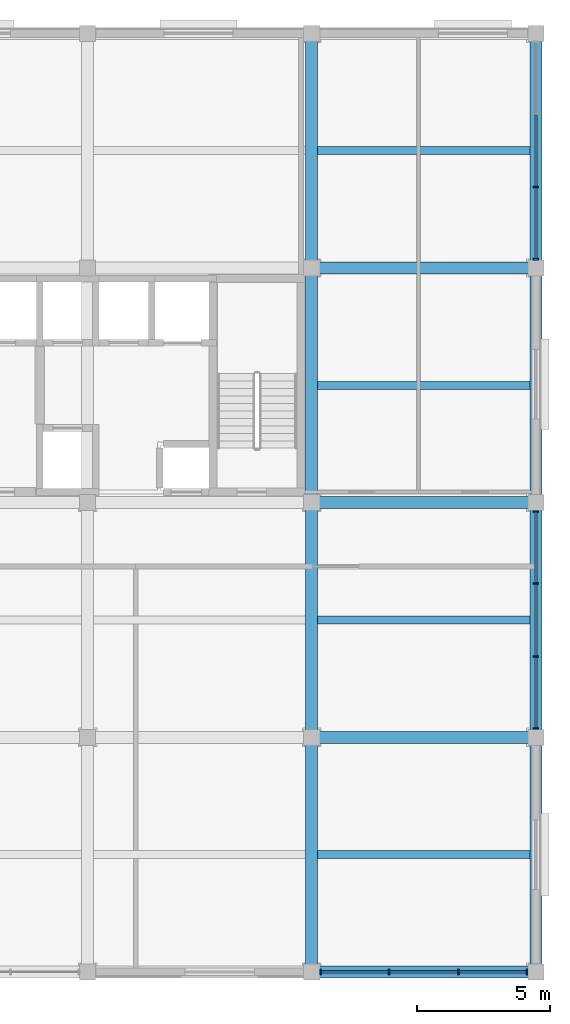
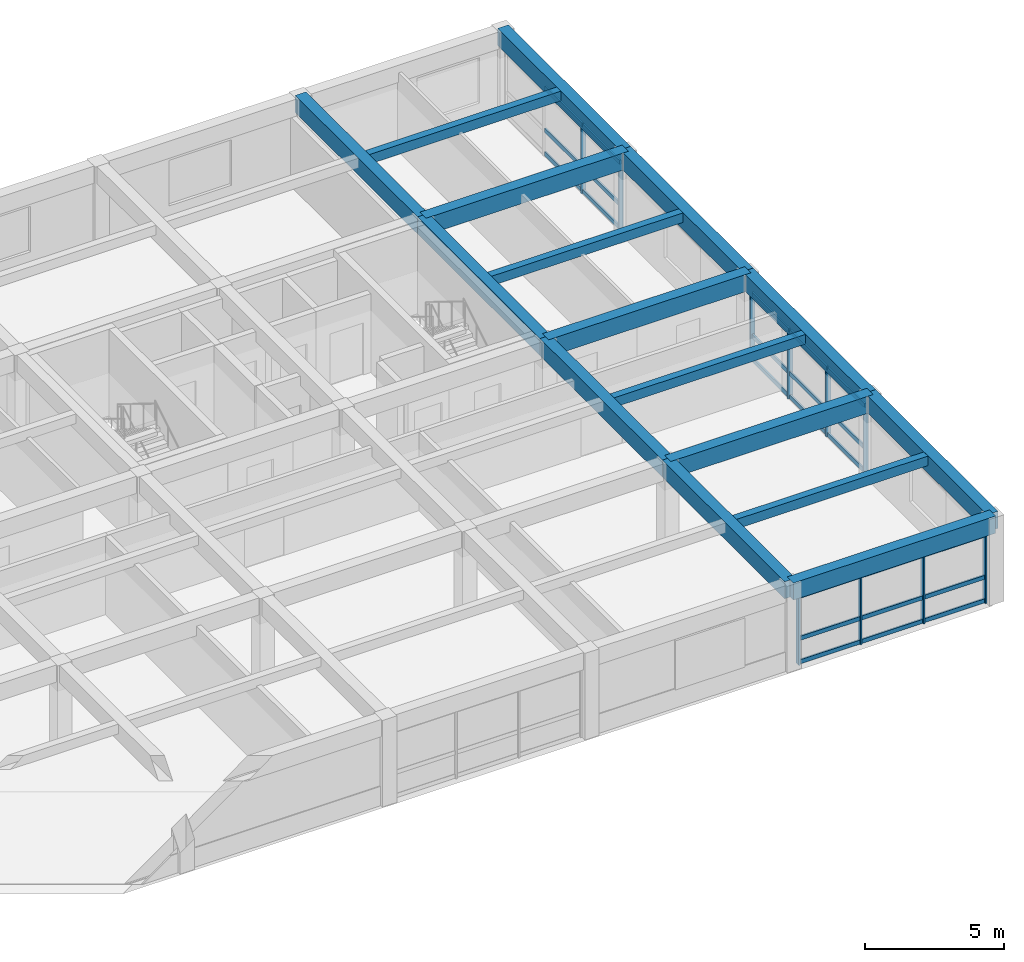
# One storey, part 4 of 14: 34 members, 16 beams, 3 elements without a shape of their own.
"""IFC4 building model written with IfcOpenShell, lengths in metres."""

import ifcopenshell
import ifcopenshell.guid

model = None  # the IFC model being written
_history = None  # IfcOwnerHistory: only IFC2X3 demands one
_inside = {}  # id of a spatial element -> (the spatial element, [elements in it])
_under = {}  # id of a project, library or spatial element -> (it, [spatial elements below it])
_declared = {}  # id of a project -> (the project, [libraries it declares])
_typed = {}  # id of a type object -> (the type object, [elements of that type])
_made_of = {}  # id of a material, layer set ... -> (it, [elements and type objects made of it])


def new_model(schema):
    """Start an empty IFC model of exactly this schema.

    Asked for "IFC4X3", IfcOpenShell would pick the latest addendum, in which some entities
    have other attributes; the version numbers below select the first issue.
    IFC2X3 requires an IfcOwnerHistory on every rooted entity: one is made here for all.
    """
    global model, _history
    if schema == "IFC4X3":
        model = ifcopenshell.file(schema_version=(4, 3, 0, 0))
    else:
        model = ifcopenshell.file(schema=schema)
    _inside.clear()
    _under.clear()
    _declared.clear()
    _typed.clear()
    _made_of.clear()
    _history = None
    if model.schema == "IFC2X3":
        org = make("IfcOrganization", Name="unknown")
        user = make(
            "IfcPersonAndOrganization",
            ThePerson=make("IfcPerson", FamilyName="unknown"),
            TheOrganization=org,
        )
        app = make(
            "IfcApplication",
            ApplicationDeveloper=org,
            Version="unknown",
            ApplicationFullName="unknown",
            ApplicationIdentifier="unknown",
        )
        _history = make(
            "IfcOwnerHistory",
            OwningUser=user,
            OwningApplication=app,
            ChangeAction="ADDED",
            CreationDate=0,
        )
    return model


def make(cls, **values):
    """One entity of the class cls with the attributes given. An attribute that is None is left unset."""
    return model.create_entity(
        cls, **{name: value for name, value in values.items() if value is not None}
    )


def rooted(cls, **values):
    """An entity with a GlobalId (a new one), such as an element, a storey or a relation."""
    return make(cls, GlobalId=ifcopenshell.guid.new(), OwnerHistory=_history, **values)


def si_unit(unit_type, name, prefix=None):
    """IfcSIUnit, for example si_unit("LENGTHUNIT", "METRE", prefix="MILLI")."""
    return make("IfcSIUnit", UnitType=unit_type, Prefix=prefix, Name=name)


def assignment(units):
    """IfcUnitAssignment: the units of a project."""
    return None if units is None else make("IfcUnitAssignment", Units=units)


def point(xyz):
    """IfcCartesianPoint."""
    return None if xyz is None else make("IfcCartesianPoint", Coordinates=xyz)


def direction(xyz):
    """IfcDirection."""
    return None if xyz is None else make("IfcDirection", DirectionRatios=xyz)


def frame(location, z_axis=None, x_axis=None):
    """IfcAxis2Placement3D, a coordinate frame: its origin and axes. An axis left out is left unset."""
    return make(
        "IfcAxis2Placement3D",
        Location=point(location),
        Axis=direction(z_axis),
        RefDirection=direction(x_axis),
    )


def frame_2d(location, x_axis=None):
    """IfcAxis2Placement2D, a coordinate frame in the plane: its origin and x axis."""
    return make(
        "IfcAxis2Placement2D", Location=point(location), RefDirection=direction(x_axis)
    )


def origin():
    """The frame at (0, 0, 0) with its axes left unset."""
    return frame((0.0, 0.0, 0.0))


def origin_2d():
    """The frame at (0, 0) in the plane with its x axis left unset."""
    return frame_2d((0.0, 0.0))


def place(relative_to, where):
    """IfcLocalPlacement: puts the frame where relative to a parent placement (None: the world)."""
    return make(
        "IfcLocalPlacement", PlacementRelTo=relative_to, RelativePlacement=where
    )


def context(
    kind, dimensions, precision=None, world=None, true_north=None, identifier=None
):
    """IfcGeometricRepresentationContext, for example the 3D "Model" context."""
    return make(
        "IfcGeometricRepresentationContext",
        ContextIdentifier=identifier,
        ContextType=kind,
        CoordinateSpaceDimension=dimensions,
        Precision=precision,
        WorldCoordinateSystem=world,
        TrueNorth=true_north,
    )


def subcontext(parent, identifier, kind, view, scale=None):
    """IfcGeometricRepresentationSubContext, for example "Body" below "Model"."""
    return make(
        "IfcGeometricRepresentationSubContext",
        ContextIdentifier=identifier,
        ContextType=kind,
        ParentContext=parent,
        TargetScale=scale,
        TargetView=view,
    )


def project(units=None, contexts=None):
    """IfcProject with its units and contexts."""
    return rooted(
        "IfcProject",
        Name="project",
        RepresentationContexts=contexts,
        UnitsInContext=assignment(units),
    )


def spatial(cls, under=None, at=None, **own):
    """A site, building, storey or space (cls), placed at a placement, below another one or the project."""
    s = rooted(cls, ObjectPlacement=at, **own)
    if under is not None:
        _under.setdefault(under.id(), (under, []))[1].append(s)
    return s


def profile(cls, at=None, kind="AREA", **sizes):
    """A parametric profile (cls). Its sizes go by their IFC names, for example OverallWidth=200.0."""
    return make(cls, ProfileType=kind, Position=at, **sizes)


def rectangle(**sizes):
    """IfcRectangleProfileDef."""
    return profile("IfcRectangleProfileDef", **sizes)


def extrude(swept, where, along, depth):
    """IfcExtrudedAreaSolid: the profile swept, set in the frame where, extruded along a direction by depth."""
    return make(
        "IfcExtrudedAreaSolid",
        SweptArea=swept,
        Position=where,
        ExtrudedDirection=direction(along),
        Depth=depth,
    )


def shape(context_of_items, identifier, shape_type, items):
    """IfcShapeRepresentation: the items that make up one representation, for example the "Body"."""
    return make(
        "IfcShapeRepresentation",
        ContextOfItems=context_of_items,
        RepresentationIdentifier=identifier,
        RepresentationType=shape_type,
        Items=items,
    )


def material(Name=None, Category=None):
    """IfcMaterial."""
    return make("IfcMaterial", Name=Name, Category=Category)


def material_profile(
    of_material, cross_section, Name=None, Category=None, Priority=None
):
    """IfcMaterialProfile: a cross section and its material."""
    return make(
        "IfcMaterialProfile",
        Name=Name,
        Material=of_material,
        Profile=cross_section,
        Priority=Priority,
        Category=Category,
    )


def profile_set(profiles, Name=None, composite=None):
    """IfcMaterialProfileSet."""
    return make(
        "IfcMaterialProfileSet",
        Name=Name,
        MaterialProfiles=profiles,
        CompositeProfile=composite,
    )


def made_of(thing, what):
    """Note that an element or type object is made of a material, layer set ...; save() writes the relation."""
    if what is not None:
        _made_of.setdefault(what.id(), (what, []))[1].append(thing)
    return thing


def type_object(cls, material=None, **own):
    """A type object (cls), such as IfcWallType, which elements share."""
    return made_of(rooted(cls, **own), material)


def element(
    cls,
    number,
    at=None,
    inside=None,
    cuts=None,
    type_object=None,
    material=None,
    context=None,
    identifier="Body",
    shape_type=None,
    held_by="IfcProductDefinitionShape",
    body=None,
    shapes=None,
    **own,
):
    """One element of the class cls, such as IfcWall. Its Tag is "e" and its number.

    at: its placement. inside: the storey or other place that contains it. cuts: it is an
    opening in that element (IfcRelVoidsElement). A single representation is given by context,
    identifier, shape_type and body (its items); several are given by shapes. held_by: the class
    of the entity that holds the representations. save() writes the other relations.
    """
    e = rooted(cls, Tag="e%d" % number, ObjectPlacement=at, **own)
    if body is not None:
        shapes = [shape(context, identifier, shape_type, body)]
    if shapes is not None:
        e.Representation = make(held_by, Representations=shapes)
    if inside is not None:
        _inside.setdefault(inside.id(), (inside, []))[1].append(e)
    if cuts is not None:
        rooted(
            "IfcRelVoidsElement", RelatingBuildingElement=cuts, RelatedOpeningElement=e
        )
    if type_object is not None:
        _typed.setdefault(type_object.id(), (type_object, []))[1].append(e)
    return made_of(e, material)


def aggregate(whole, parts):
    """IfcRelAggregates: a whole, such as a stair, and the parts it consists of."""
    return rooted("IfcRelAggregates", RelatingObject=whole, RelatedObjects=parts)


def save(model, path):
    """Write the relations noted so far, then the file.

    IfcRelAggregates (storeys below a building ...), IfcRelContainedInSpatialStructure (elements
    in a storey), IfcRelDefinesByType, IfcRelAssociatesMaterial and IfcRelDeclares: one each for
    every whole, place, type object, material and project.
    """
    for whole, parts in _under.values():
        aggregate(whole, parts)
    for where, things in _inside.values():
        rooted(
            "IfcRelContainedInSpatialStructure",
            RelatedElements=things,
            RelatingStructure=where,
        )
    for kind, things in _typed.values():
        rooted("IfcRelDefinesByType", RelatedObjects=things, RelatingType=kind)
    for what, things in _made_of.values():
        rooted("IfcRelAssociatesMaterial", RelatedObjects=things, RelatingMaterial=what)
    for by, libraries in _declared.values():
        rooted("IfcRelDeclares", RelatingContext=by, RelatedDefinitions=libraries)
    model.write(path)


model = new_model("IFC4")

# Units and contexts
model_context = context("Model", 3, precision=1e-05, world=origin(), true_north=direction((0.0, 1.0)))
body_context = subcontext(model_context, "Body", "Model", "MODEL_VIEW")
ifc_project = project(units=[si_unit("LENGTHUNIT", "METRE"), si_unit("AREAUNIT", "SQUARE_METRE"), si_unit("VOLUMEUNIT", "CUBIC_METRE"), si_unit("PLANEANGLEUNIT", "RADIAN"), si_unit("MASSUNIT", "GRAM", prefix="KILO")], contexts=[model_context])

# Site, building, storey
site_placement = place(None, origin())
site = spatial("IfcSite", under=ifc_project, at=site_placement, CompositionType="ELEMENT")
building_placement = place(site_placement, origin())
building = spatial("IfcBuilding", under=site, at=building_placement, Name="Kemercrest Conservatory and Botanical Centre", CompositionType="ELEMENT")
storey_placement = place(building_placement, frame((0.0, 0.0, 44.39990234375)))
storey = spatial("IfcBuildingStorey", under=building, at=storey_placement, Name="L11", CompositionType="ELEMENT", Elevation=44.39990234375)

# Beams
ifc_material_1 = material(Name="Concrete C40/50", Category="concrete")
ifc_material_profile_1 = material_profile(ifc_material_1, rectangle(XDim=0.449951171875, YDim=0.75, at=origin_2d()), Name="RC 450x750")
ifc_profile_set_1 = profile_set([ifc_material_profile_1], Name="Concrete C40/50")
beam_type_1 = type_object("IfcBeamType", Name="BM-RC75", PredefinedType="BEAM", material=ifc_profile_set_1)
for number, where, z_axis, x_axis, name in (
    (1, (167.60009765625, 96.0, 3.425048828125), (1.0, 0.0, 0.0), (0.0, 1.0, 0.0), "V4-L12 beam BM-RC75 L/20-21"),
    (2, (167.60009765625, 104.800048828125, 3.425048828125), (1.0, 0.0, 0.0), (0.0, 1.0, 0.0), "V4-L12 beam BM-RC75 M/20-21"),
    (3, (167.60009765625, 113.60009765625, 3.425048828125), (1.0, 0.0, 0.0), (0.0, 1.0, 0.0), "V4-L12 beam BM-RC75 N/20-21"),
):
    element("IfcBeam", number, at=place(storey_placement, frame(where, z_axis=z_axis, x_axis=x_axis)), inside=storey, type_object=beam_type_1, Name=name, PredefinedType="BEAM", context=body_context, shape_type="SweptSolid", body=[
        extrude(rectangle(XDim=0.449951171875, YDim=0.75, at=origin_2d()), origin(), (0.0, 0.0, 1.0), 8.39990234375),
    ])
for number, where, z_axis, x_axis, name in (
    (4, (167.60009765625, 87.199951171875, 3.425048828125), (0.0, 1.0, 0.0), (-1.0, 0.0, 0.0), "V4-L12 beam BM-RC75 20/K-L"),
    (5, (167.60009765625, 96.0, 3.425048828125), (0.0, 1.0, 0.0), (-1.0, 0.0, 0.0), "V4-L12 beam BM-RC75 20/L-M"),
    (6, (167.60009765625, 104.800048828125, 3.425048828125), (0.0, 1.0, 0.0), (-1.0, 0.0, 0.0), "V4-L12 beam BM-RC75 20/M-N"),
):
    element("IfcBeam", number, at=place(storey_placement, frame(where, z_axis=z_axis, x_axis=x_axis)), inside=storey, type_object=beam_type_1, Name=name, PredefinedType="BEAM", context=body_context, shape_type="SweptSolid", body=[
        extrude(rectangle(XDim=0.449951171875, YDim=0.75, at=origin_2d()), origin(), (0.0, 0.0, 1.0), 8.800048828125),
    ])
beam_1_placement = place(storey_placement, frame((167.60009765625, 113.60009765625, 3.425048828125), z_axis=(0.0, 1.0, 0.0), x_axis=(-1.0, 0.0, 0.0)))
element("IfcBeam", 7, at=beam_1_placement, inside=storey, type_object=beam_type_1, Name="V4-L12 beam BM-RC75 20/N-P", PredefinedType="BEAM", context=body_context, shape_type="SweptSolid", body=[
    extrude(rectangle(XDim=0.449951171875, YDim=0.75, at=origin_2d()), origin(), (0.0, 0.0, 1.0), 8.7998046875),
])

# Curtain wall, members
ifc_material_2 = material(Name="Thermally broken aluminium and triple low-e glazing", Category="aluminium")
curtain_wall_type_1 = type_object("IfcCurtainWallType", Name="CW-04", PredefinedType="USERDEFINED", material=ifc_material_2)
curtain_wall_1_placement = place(storey_placement, origin())
curtain_wall_1 = element("IfcCurtainWall", 8, at=curtain_wall_1_placement, inside=storey, type_object=curtain_wall_type_1, Name="Unitised curtain wall CW-04 (CW:L11:V4-123)", ObjectType="UNITISED CURTAIN WALL", PredefinedType="USERDEFINED")
ifc_material_3 = material(Name="Thermally broken anodized aluminium 6063-T6", Category="aluminium")
ifc_material_profile_2 = material_profile(ifc_material_3, rectangle(XDim=0.199951171875, YDim=0.06494140625, at=origin_2d()), Name="AL MULLION 65x200")
ifc_profile_set_2 = profile_set([ifc_material_profile_2], Name="Thermally broken anodized aluminium 6063-T6")
member_type_1 = type_object("IfcMemberType", Name="CW-M200", PredefinedType="MULLION", material=ifc_profile_set_2)
member_1_placement = place(storey_placement, frame((167.927490234375, 87.199951171875, 0.0), z_axis=(0.0, 0.0, 1.0), x_axis=(0.0, 1.0, 0.0)))
member_1 = element("IfcMember", 9, at=member_1_placement, type_object=member_type_1, Name="CW-04 mullion 1", PredefinedType="MULLION", context=body_context, shape_type="SweptSolid", body=[
    extrude(rectangle(XDim=0.199951171875, YDim=0.06494140625, at=origin_2d()), origin(), (0.0, 0.0, 1.0), 3.05517578125),
])
member_2_placement = place(storey_placement, frame((170.498291015625, 87.199951171875, 0.0), z_axis=(0.0, 0.0, 1.0), x_axis=(0.0, 1.0, 0.0)))
member_2 = element("IfcMember", 10, at=member_2_placement, type_object=member_type_1, Name="CW-04 mullion 2", PredefinedType="MULLION", context=body_context, shape_type="SweptSolid", body=[
    extrude(rectangle(XDim=0.199951171875, YDim=0.06494140625, at=origin_2d()), origin(), (0.0, 0.0, 1.0), 3.05517578125),
])
member_3_placement = place(storey_placement, frame((173.1015625, 87.199951171875, 0.0), z_axis=(0.0, 0.0, 1.0), x_axis=(0.0, 1.0, 0.0)))
member_3 = element("IfcMember", 11, at=member_3_placement, type_object=member_type_1, Name="CW-04 mullion 3", PredefinedType="MULLION", context=body_context, shape_type="SweptSolid", body=[
    extrude(rectangle(XDim=0.199951171875, YDim=0.06494140625, at=origin_2d()), origin(), (0.0, 0.0, 1.0), 3.05517578125),
])
member_4_placement = place(storey_placement, frame((175.672607421875, 87.199951171875, 0.0), z_axis=(0.0, 0.0, 1.0), x_axis=(0.0, 1.0, 0.0)))
member_4 = element("IfcMember", 12, at=member_4_placement, type_object=member_type_1, Name="CW-04 mullion 4", PredefinedType="MULLION", context=body_context, shape_type="SweptSolid", body=[
    extrude(rectangle(XDim=0.199951171875, YDim=0.06494140625, at=origin_2d()), origin(), (0.0, 0.0, 1.0), 3.05517578125),
])

curtain_wall_type_2 = type_object("IfcCurtainWallType", Name="CW-05", PredefinedType="USERDEFINED", material=ifc_material_2)
curtain_wall_2_placement = place(storey_placement, origin())
curtain_wall_2 = element("IfcCurtainWall", 13, at=curtain_wall_2_placement, inside=storey, type_object=curtain_wall_type_2, Name="Unitised curtain wall CW-05 (CW:L11:V4-124)", ObjectType="UNITISED CURTAIN WALL", PredefinedType="USERDEFINED")
member_5_placement = place(storey_placement, frame((176.0, 96.327392578125, 0.0), z_axis=(0.0, 0.0, 1.0), x_axis=(-1.0, 0.0, 0.0)))
member_5 = element("IfcMember", 14, at=member_5_placement, type_object=member_type_1, Name="CW-05 mullion 1", PredefinedType="MULLION", context=body_context, shape_type="SweptSolid", body=[
    extrude(rectangle(XDim=0.199951171875, YDim=0.06494140625, at=origin_2d()), origin(), (0.0, 0.0, 1.0), 3.05517578125),
])
member_6_placement = place(storey_placement, frame((176.0, 99.03173828125, 0.0), z_axis=(0.0, 0.0, 1.0), x_axis=(-1.0, 0.0, 0.0)))
member_6 = element("IfcMember", 15, at=member_6_placement, type_object=member_type_1, Name="CW-05 mullion 2", PredefinedType="MULLION", context=body_context, shape_type="SweptSolid", body=[
    extrude(rectangle(XDim=0.199951171875, YDim=0.06494140625, at=origin_2d()), origin(), (0.0, 0.0, 1.0), 3.05517578125),
])
member_7_placement = place(storey_placement, frame((176.0, 101.768310546875, 0.0), z_axis=(0.0, 0.0, 1.0), x_axis=(-1.0, 0.0, 0.0)))
member_7 = element("IfcMember", 16, at=member_7_placement, type_object=member_type_1, Name="CW-05 mullion 3", PredefinedType="MULLION", context=body_context, shape_type="SweptSolid", body=[
    extrude(rectangle(XDim=0.199951171875, YDim=0.06494140625, at=origin_2d()), origin(), (0.0, 0.0, 1.0), 3.05517578125),
])
member_8_placement = place(storey_placement, frame((176.0, 104.472412109375, 0.0), z_axis=(0.0, 0.0, 1.0), x_axis=(-1.0, 0.0, 0.0)))
member_8 = element("IfcMember", 17, at=member_8_placement, type_object=member_type_1, Name="CW-05 mullion 4", PredefinedType="MULLION", context=body_context, shape_type="SweptSolid", body=[
    extrude(rectangle(XDim=0.199951171875, YDim=0.06494140625, at=origin_2d()), origin(), (0.0, 0.0, 1.0), 3.05517578125),
])

curtain_wall_type_3 = type_object("IfcCurtainWallType", Name="CW-06", PredefinedType="USERDEFINED", material=ifc_material_2)
curtain_wall_3_placement = place(storey_placement, origin())
curtain_wall_3 = element("IfcCurtainWall", 18, at=curtain_wall_3_placement, inside=storey, type_object=curtain_wall_type_3, Name="Unitised curtain wall CW-06 (CW:L11:V4-125)", ObjectType="UNITISED CURTAIN WALL", PredefinedType="USERDEFINED")
member_9_placement = place(storey_placement, frame((176.0, 113.927490234375, 0.0), z_axis=(0.0, 0.0, 1.0), x_axis=(-1.0, 0.0, 0.0)))
member_9 = element("IfcMember", 19, at=member_9_placement, type_object=member_type_1, Name="CW-06 mullion 1", PredefinedType="MULLION", context=body_context, shape_type="SweptSolid", body=[
    extrude(rectangle(XDim=0.199951171875, YDim=0.06494140625, at=origin_2d()), origin(), (0.0, 0.0, 1.0), 3.05517578125),
])
member_10_placement = place(storey_placement, frame((176.0, 116.631591796875, 0.0), z_axis=(0.0, 0.0, 1.0), x_axis=(-1.0, 0.0, 0.0)))
member_10 = element("IfcMember", 20, at=member_10_placement, type_object=member_type_1, Name="CW-06 mullion 2", PredefinedType="MULLION", context=body_context, shape_type="SweptSolid", body=[
    extrude(rectangle(XDim=0.199951171875, YDim=0.06494140625, at=origin_2d()), origin(), (0.0, 0.0, 1.0), 3.05517578125),
])

# Member
ifc_material_profile_3 = material_profile(ifc_material_3, rectangle(XDim=0.074951171875, YDim=0.179931640625, at=origin_2d()), Name="AL TRANSOM 75x180")
ifc_profile_set_3 = profile_set([ifc_material_profile_3], Name="Thermally broken anodized aluminium 6063-T6")
member_type_2 = type_object("IfcMemberType", Name="CW-T180", PredefinedType="USERDEFINED", material=ifc_profile_set_3)
member_11_placement = place(storey_placement, frame((167.9599609375, 87.199951171875, 0.090087890625), z_axis=(1.0, 0.0, 0.0), x_axis=(0.0, 1.0, 0.0)))
member_11 = element("IfcMember", 21, at=member_11_placement, type_object=member_type_2, Name="CW-04 transom 1.1", ObjectType="TRANSOM", PredefinedType="USERDEFINED", context=body_context, shape_type="SweptSolid", body=[
    extrude(rectangle(XDim=0.074951171875, YDim=0.179931640625, at=origin_2d()), origin(), (0.0, 0.0, 1.0), 2.505859375),
])

member_12_placement = place(storey_placement, frame((167.9599609375, 87.199951171875, 1.1201171875), z_axis=(1.0, 0.0, 0.0), x_axis=(0.0, 1.0, 0.0)))
member_12 = element("IfcMember", 22, at=member_12_placement, type_object=member_type_2, Name="CW-04 transom 1.2", ObjectType="TRANSOM", PredefinedType="USERDEFINED", context=body_context, shape_type="SweptSolid", body=[
    extrude(rectangle(XDim=0.074951171875, YDim=0.179931640625, at=origin_2d()), origin(), (0.0, 0.0, 1.0), 2.505859375),
])

member_13_placement = place(storey_placement, frame((167.9599609375, 87.199951171875, 2.965087890625), z_axis=(1.0, 0.0, 0.0), x_axis=(0.0, 1.0, 0.0)))
member_13 = element("IfcMember", 23, at=member_13_placement, type_object=member_type_2, Name="CW-04 transom 1.3", ObjectType="TRANSOM", PredefinedType="USERDEFINED", context=body_context, shape_type="SweptSolid", body=[
    extrude(rectangle(XDim=0.074951171875, YDim=0.179931640625, at=origin_2d()), origin(), (0.0, 0.0, 1.0), 2.505859375),
])

member_14_placement = place(storey_placement, frame((170.53076171875, 87.199951171875, 0.090087890625), z_axis=(1.0, 0.0, 0.0), x_axis=(0.0, 1.0, 0.0)))
member_14 = element("IfcMember", 24, at=member_14_placement, type_object=member_type_2, Name="CW-04 transom 2.1", ObjectType="TRANSOM", PredefinedType="USERDEFINED", context=body_context, shape_type="SweptSolid", body=[
    extrude(rectangle(XDim=0.074951171875, YDim=0.179931640625, at=origin_2d()), origin(), (0.0, 0.0, 1.0), 2.538330078125),
])

member_15_placement = place(storey_placement, frame((170.53076171875, 87.199951171875, 1.1201171875), z_axis=(1.0, 0.0, 0.0), x_axis=(0.0, 1.0, 0.0)))
member_15 = element("IfcMember", 25, at=member_15_placement, type_object=member_type_2, Name="CW-04 transom 2.2", ObjectType="TRANSOM", PredefinedType="USERDEFINED", context=body_context, shape_type="SweptSolid", body=[
    extrude(rectangle(XDim=0.074951171875, YDim=0.179931640625, at=origin_2d()), origin(), (0.0, 0.0, 1.0), 2.538330078125),
])

member_16_placement = place(storey_placement, frame((170.53076171875, 87.199951171875, 2.965087890625), z_axis=(1.0, 0.0, 0.0), x_axis=(0.0, 1.0, 0.0)))
member_16 = element("IfcMember", 26, at=member_16_placement, type_object=member_type_2, Name="CW-04 transom 2.3", ObjectType="TRANSOM", PredefinedType="USERDEFINED", context=body_context, shape_type="SweptSolid", body=[
    extrude(rectangle(XDim=0.074951171875, YDim=0.179931640625, at=origin_2d()), origin(), (0.0, 0.0, 1.0), 2.538330078125),
])

member_17_placement = place(storey_placement, frame((173.13427734375, 87.199951171875, 0.090087890625), z_axis=(1.0, 0.0, 0.0), x_axis=(0.0, 1.0, 0.0)))
member_17 = element("IfcMember", 27, at=member_17_placement, type_object=member_type_2, Name="CW-04 transom 3.1", ObjectType="TRANSOM", PredefinedType="USERDEFINED", context=body_context, shape_type="SweptSolid", body=[
    extrude(rectangle(XDim=0.074951171875, YDim=0.179931640625, at=origin_2d()), origin(), (0.0, 0.0, 1.0), 2.505615234375),
])

member_18_placement = place(storey_placement, frame((173.13427734375, 87.199951171875, 1.1201171875), z_axis=(1.0, 0.0, 0.0), x_axis=(0.0, 1.0, 0.0)))
member_18 = element("IfcMember", 28, at=member_18_placement, type_object=member_type_2, Name="CW-04 transom 3.2", ObjectType="TRANSOM", PredefinedType="USERDEFINED", context=body_context, shape_type="SweptSolid", body=[
    extrude(rectangle(XDim=0.074951171875, YDim=0.179931640625, at=origin_2d()), origin(), (0.0, 0.0, 1.0), 2.505615234375),
])

member_19_placement = place(storey_placement, frame((173.13427734375, 87.199951171875, 2.965087890625), z_axis=(1.0, 0.0, 0.0), x_axis=(0.0, 1.0, 0.0)))
member_19 = element("IfcMember", 29, at=member_19_placement, type_object=member_type_2, Name="CW-04 transom 3.3", ObjectType="TRANSOM", PredefinedType="USERDEFINED", context=body_context, shape_type="SweptSolid", body=[
    extrude(rectangle(XDim=0.074951171875, YDim=0.179931640625, at=origin_2d()), origin(), (0.0, 0.0, 1.0), 2.505615234375),
])

aggregate(curtain_wall_1, [member_1, member_2, member_3, member_4, member_11, member_12, member_13, member_14, member_15, member_16, member_17, member_18, member_19])

member_20_placement = place(storey_placement, frame((176.0, 96.360107421875, 0.090087890625), z_axis=(0.0, 1.0, 0.0), x_axis=(-1.0, 0.0, 0.0)))
member_20 = element("IfcMember", 30, at=member_20_placement, type_object=member_type_2, Name="CW-05 transom 1.1", ObjectType="TRANSOM", PredefinedType="USERDEFINED", context=body_context, shape_type="SweptSolid", body=[
    extrude(rectangle(XDim=0.074951171875, YDim=0.179931640625, at=origin_2d()), origin(), (0.0, 0.0, 1.0), 2.63916015625),
])

member_21_placement = place(storey_placement, frame((176.0, 96.360107421875, 1.1201171875), z_axis=(0.0, 1.0, 0.0), x_axis=(-1.0, 0.0, 0.0)))
member_21 = element("IfcMember", 31, at=member_21_placement, type_object=member_type_2, Name="CW-05 transom 1.2", ObjectType="TRANSOM", PredefinedType="USERDEFINED", context=body_context, shape_type="SweptSolid", body=[
    extrude(rectangle(XDim=0.074951171875, YDim=0.179931640625, at=origin_2d()), origin(), (0.0, 0.0, 1.0), 2.63916015625),
])

member_22_placement = place(storey_placement, frame((176.0, 96.360107421875, 2.965087890625), z_axis=(0.0, 1.0, 0.0), x_axis=(-1.0, 0.0, 0.0)))
member_22 = element("IfcMember", 32, at=member_22_placement, type_object=member_type_2, Name="CW-05 transom 1.3", ObjectType="TRANSOM", PredefinedType="USERDEFINED", context=body_context, shape_type="SweptSolid", body=[
    extrude(rectangle(XDim=0.074951171875, YDim=0.179931640625, at=origin_2d()), origin(), (0.0, 0.0, 1.0), 2.63916015625),
])

member_23_placement = place(storey_placement, frame((176.0, 99.064208984375, 0.090087890625), z_axis=(0.0, 1.0, 0.0), x_axis=(-1.0, 0.0, 0.0)))
member_23 = element("IfcMember", 33, at=member_23_placement, type_object=member_type_2, Name="CW-05 transom 2.1", ObjectType="TRANSOM", PredefinedType="USERDEFINED", context=body_context, shape_type="SweptSolid", body=[
    extrude(rectangle(XDim=0.074951171875, YDim=0.179931640625, at=origin_2d()), origin(), (0.0, 0.0, 1.0), 2.671630859375),
])

member_24_placement = place(storey_placement, frame((176.0, 99.064208984375, 1.1201171875), z_axis=(0.0, 1.0, 0.0), x_axis=(-1.0, 0.0, 0.0)))
member_24 = element("IfcMember", 34, at=member_24_placement, type_object=member_type_2, Name="CW-05 transom 2.2", ObjectType="TRANSOM", PredefinedType="USERDEFINED", context=body_context, shape_type="SweptSolid", body=[
    extrude(rectangle(XDim=0.074951171875, YDim=0.179931640625, at=origin_2d()), origin(), (0.0, 0.0, 1.0), 2.671630859375),
])

member_25_placement = place(storey_placement, frame((176.0, 99.064208984375, 2.965087890625), z_axis=(0.0, 1.0, 0.0), x_axis=(-1.0, 0.0, 0.0)))
member_25 = element("IfcMember", 35, at=member_25_placement, type_object=member_type_2, Name="CW-05 transom 2.3", ObjectType="TRANSOM", PredefinedType="USERDEFINED", context=body_context, shape_type="SweptSolid", body=[
    extrude(rectangle(XDim=0.074951171875, YDim=0.179931640625, at=origin_2d()), origin(), (0.0, 0.0, 1.0), 2.671630859375),
])

member_26_placement = place(storey_placement, frame((176.0, 101.80078125, 0.090087890625), z_axis=(0.0, 1.0, 0.0), x_axis=(-1.0, 0.0, 0.0)))
member_26 = element("IfcMember", 36, at=member_26_placement, type_object=member_type_2, Name="CW-05 transom 3.1", ObjectType="TRANSOM", PredefinedType="USERDEFINED", context=body_context, shape_type="SweptSolid", body=[
    extrude(rectangle(XDim=0.074951171875, YDim=0.179931640625, at=origin_2d()), origin(), (0.0, 0.0, 1.0), 2.63916015625),
])

member_27_placement = place(storey_placement, frame((176.0, 101.80078125, 1.1201171875), z_axis=(0.0, 1.0, 0.0), x_axis=(-1.0, 0.0, 0.0)))
member_27 = element("IfcMember", 37, at=member_27_placement, type_object=member_type_2, Name="CW-05 transom 3.2", ObjectType="TRANSOM", PredefinedType="USERDEFINED", context=body_context, shape_type="SweptSolid", body=[
    extrude(rectangle(XDim=0.074951171875, YDim=0.179931640625, at=origin_2d()), origin(), (0.0, 0.0, 1.0), 2.63916015625),
])

member_28_placement = place(storey_placement, frame((176.0, 101.80078125, 2.965087890625), z_axis=(0.0, 1.0, 0.0), x_axis=(-1.0, 0.0, 0.0)))
member_28 = element("IfcMember", 38, at=member_28_placement, type_object=member_type_2, Name="CW-05 transom 3.3", ObjectType="TRANSOM", PredefinedType="USERDEFINED", context=body_context, shape_type="SweptSolid", body=[
    extrude(rectangle(XDim=0.074951171875, YDim=0.179931640625, at=origin_2d()), origin(), (0.0, 0.0, 1.0), 2.63916015625),
])

aggregate(curtain_wall_2, [member_5, member_6, member_7, member_8, member_20, member_21, member_22, member_23, member_24, member_25, member_26, member_27, member_28])

member_29_placement = place(storey_placement, frame((176.0, 113.9599609375, 0.090087890625), z_axis=(0.0, 1.0, 0.0), x_axis=(-1.0, 0.0, 0.0)))
member_29 = element("IfcMember", 39, at=member_29_placement, type_object=member_type_2, Name="CW-06 transom 1.1", ObjectType="TRANSOM", PredefinedType="USERDEFINED", context=body_context, shape_type="SweptSolid", body=[
    extrude(rectangle(XDim=0.074951171875, YDim=0.179931640625, at=origin_2d()), origin(), (0.0, 0.0, 1.0), 2.63916015625),
])

member_30_placement = place(storey_placement, frame((176.0, 113.9599609375, 1.1201171875), z_axis=(0.0, 1.0, 0.0), x_axis=(-1.0, 0.0, 0.0)))
member_30 = element("IfcMember", 40, at=member_30_placement, type_object=member_type_2, Name="CW-06 transom 1.2", ObjectType="TRANSOM", PredefinedType="USERDEFINED", context=body_context, shape_type="SweptSolid", body=[
    extrude(rectangle(XDim=0.074951171875, YDim=0.179931640625, at=origin_2d()), origin(), (0.0, 0.0, 1.0), 2.63916015625),
])

member_31_placement = place(storey_placement, frame((176.0, 113.9599609375, 2.965087890625), z_axis=(0.0, 1.0, 0.0), x_axis=(-1.0, 0.0, 0.0)))
member_31 = element("IfcMember", 41, at=member_31_placement, type_object=member_type_2, Name="CW-06 transom 1.3", ObjectType="TRANSOM", PredefinedType="USERDEFINED", context=body_context, shape_type="SweptSolid", body=[
    extrude(rectangle(XDim=0.074951171875, YDim=0.179931640625, at=origin_2d()), origin(), (0.0, 0.0, 1.0), 2.63916015625),
])

member_32_placement = place(storey_placement, frame((176.0, 116.6640625, 0.090087890625), z_axis=(0.0, 1.0, 0.0), x_axis=(-1.0, 0.0, 0.0)))
member_32 = element("IfcMember", 42, at=member_32_placement, type_object=member_type_2, Name="CW-06 transom 2.1", ObjectType="TRANSOM", PredefinedType="USERDEFINED", context=body_context, shape_type="SweptSolid", body=[
    extrude(rectangle(XDim=0.074951171875, YDim=0.179931640625, at=origin_2d()), origin(), (0.0, 0.0, 1.0), 2.671875),
])

member_33_placement = place(storey_placement, frame((176.0, 116.6640625, 1.1201171875), z_axis=(0.0, 1.0, 0.0), x_axis=(-1.0, 0.0, 0.0)))
member_33 = element("IfcMember", 43, at=member_33_placement, type_object=member_type_2, Name="CW-06 transom 2.2", ObjectType="TRANSOM", PredefinedType="USERDEFINED", context=body_context, shape_type="SweptSolid", body=[
    extrude(rectangle(XDim=0.074951171875, YDim=0.179931640625, at=origin_2d()), origin(), (0.0, 0.0, 1.0), 2.671875),
])

member_34_placement = place(storey_placement, frame((176.0, 116.6640625, 2.965087890625), z_axis=(0.0, 1.0, 0.0), x_axis=(-1.0, 0.0, 0.0)))
member_34 = element("IfcMember", 44, at=member_34_placement, type_object=member_type_2, Name="CW-06 transom 2.3", ObjectType="TRANSOM", PredefinedType="USERDEFINED", context=body_context, shape_type="SweptSolid", body=[
    extrude(rectangle(XDim=0.074951171875, YDim=0.179931640625, at=origin_2d()), origin(), (0.0, 0.0, 1.0), 2.671875),
])

aggregate(curtain_wall_3, [member_9, member_10, member_29, member_30, member_31, member_32, member_33, member_34])

# Beams
ifc_material_profile_4 = material_profile(ifc_material_1, rectangle(XDim=0.300048828125, YDim=0.419921875, at=origin_2d()), Name="RC 300x420")
ifc_profile_set_4 = profile_set([ifc_material_profile_4], Name="Concrete C40/50")
beam_type_2 = type_object("IfcBeamType", Name="JS-RC42", PredefinedType="JOIST", material=ifc_profile_set_4)
for number, where, z_axis, x_axis, name in (
    (45, (167.824951171875, 91.60009765625, 3.590087890625), (1.0, 0.0, 0.0), (0.0, 1.0, 0.0), "V4-L12 secondary joist JS-RC42"),
    (46, (167.824951171875, 100.39990234375, 3.590087890625), (1.0, 0.0, 0.0), (0.0, 1.0, 0.0), "V4-L12 secondary joist JS-RC42"),
    (47, (167.824951171875, 109.199951171875, 3.590087890625), (1.0, 0.0, 0.0), (0.0, 1.0, 0.0), "V4-L12 secondary joist JS-RC42"),
    (48, (167.824951171875, 118.0, 3.590087890625), (1.0, 0.0, 0.0), (0.0, 1.0, 0.0), "V4-L12 secondary joist JS-RC42"),
):
    element("IfcBeam", number, at=place(storey_placement, frame(where, z_axis=z_axis, x_axis=x_axis)), inside=storey, type_object=beam_type_2, Name=name, PredefinedType="JOIST", context=body_context, shape_type="SweptSolid", body=[
        extrude(rectangle(XDim=0.300048828125, YDim=0.419921875, at=origin_2d()), origin(), (0.0, 0.0, 1.0), 7.949951171875),
    ])
ifc_material_profile_5 = material_profile(ifc_material_1, rectangle(XDim=0.449951171875, YDim=0.75, at=origin_2d()), Name="RC 450x750")
ifc_profile_set_5 = profile_set([ifc_material_profile_5], Name="Concrete C40/50")
beam_type_3 = type_object("IfcBeamType", Name="SP-RC75", PredefinedType="SPANDREL", material=ifc_profile_set_5)
beam_2_placement = place(storey_placement, frame((167.60009765625, 87.199951171875, 3.425048828125), z_axis=(1.0, 0.0, 0.0), x_axis=(0.0, 1.0, 0.0)))
element("IfcBeam", 49, at=beam_2_placement, inside=storey, type_object=beam_type_3, Name="V4-L12 beam SP-RC75 K/20-21", PredefinedType="SPANDREL", context=body_context, shape_type="SweptSolid", body=[
    extrude(rectangle(XDim=0.449951171875, YDim=0.75, at=origin_2d()), origin(), (0.0, 0.0, 1.0), 8.39990234375),
])
for number, where, z_axis, x_axis, name in (
    (50, (176.0, 87.199951171875, 3.425048828125), (0.0, 1.0, 0.0), (-1.0, 0.0, 0.0), "V4-L12 beam SP-RC75 21/K-L"),
    (51, (176.0, 96.0, 3.425048828125), (0.0, 1.0, 0.0), (-1.0, 0.0, 0.0), "V4-L12 beam SP-RC75 21/L-M"),
    (52, (176.0, 104.800048828125, 3.425048828125), (0.0, 1.0, 0.0), (-1.0, 0.0, 0.0), "V4-L12 beam SP-RC75 21/M-N"),
):
    element("IfcBeam", number, at=place(storey_placement, frame(where, z_axis=z_axis, x_axis=x_axis)), inside=storey, type_object=beam_type_3, Name=name, PredefinedType="SPANDREL", context=body_context, shape_type="SweptSolid", body=[
        extrude(rectangle(XDim=0.449951171875, YDim=0.75, at=origin_2d()), origin(), (0.0, 0.0, 1.0), 8.800048828125),
    ])
beam_3_placement = place(storey_placement, frame((176.0, 113.60009765625, 3.425048828125), z_axis=(0.0, 1.0, 0.0), x_axis=(-1.0, 0.0, 0.0)))
element("IfcBeam", 53, at=beam_3_placement, inside=storey, type_object=beam_type_3, Name="V4-L12 beam SP-RC75 21/N-P", PredefinedType="SPANDREL", context=body_context, shape_type="SweptSolid", body=[
    extrude(rectangle(XDim=0.449951171875, YDim=0.75, at=origin_2d()), origin(), (0.0, 0.0, 1.0), 8.7998046875),
])

save(model, "model.ifc")
